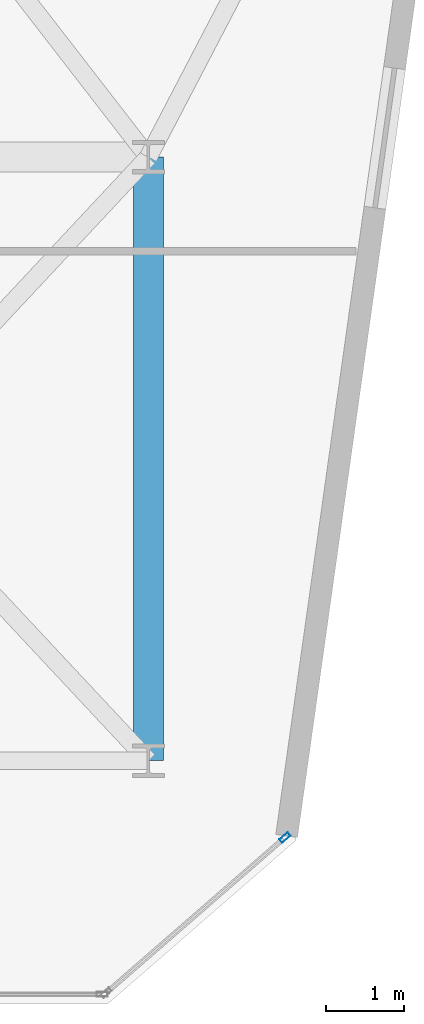
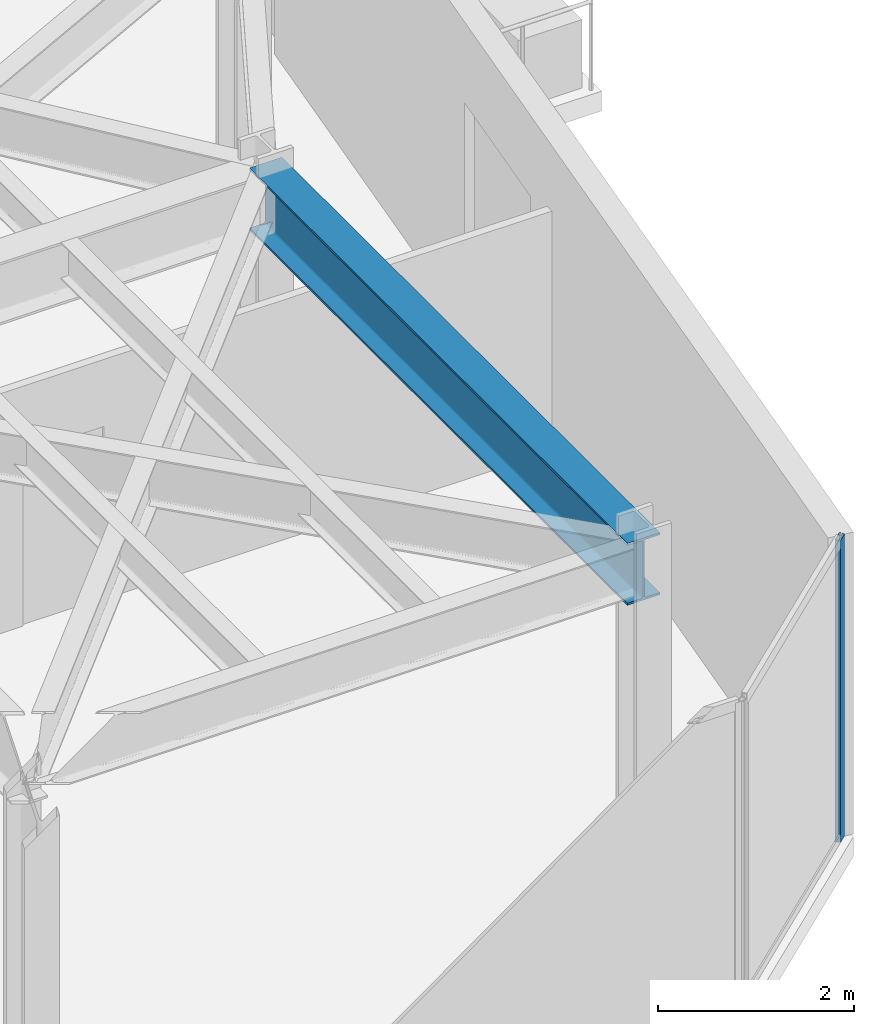
# One storey, part 14 of 21: 1 beam, 1 member, 1 element without a shape of its own.
"""IFC4 building model written with IfcOpenShell, lengths in metres."""

import ifcopenshell
import ifcopenshell.guid

model = None  # the IFC model being written
_history = None  # IfcOwnerHistory: only IFC2X3 demands one
_inside = {}  # id of a spatial element -> (the spatial element, [elements in it])
_under = {}  # id of a project, library or spatial element -> (it, [spatial elements below it])
_declared = {}  # id of a project -> (the project, [libraries it declares])
_typed = {}  # id of a type object -> (the type object, [elements of that type])
_made_of = {}  # id of a material, layer set ... -> (it, [elements and type objects made of it])


def new_model(schema):
    """Start an empty IFC model of exactly this schema.

    Asked for "IFC4X3", IfcOpenShell would pick the latest addendum, in which some entities
    have other attributes; the version numbers below select the first issue.
    IFC2X3 requires an IfcOwnerHistory on every rooted entity: one is made here for all.
    """
    global model, _history
    if schema == "IFC4X3":
        model = ifcopenshell.file(schema_version=(4, 3, 0, 0))
    else:
        model = ifcopenshell.file(schema=schema)
    _inside.clear()
    _under.clear()
    _declared.clear()
    _typed.clear()
    _made_of.clear()
    _history = None
    if model.schema == "IFC2X3":
        org = make("IfcOrganization", Name="unknown")
        user = make(
            "IfcPersonAndOrganization",
            ThePerson=make("IfcPerson", FamilyName="unknown"),
            TheOrganization=org,
        )
        app = make(
            "IfcApplication",
            ApplicationDeveloper=org,
            Version="unknown",
            ApplicationFullName="unknown",
            ApplicationIdentifier="unknown",
        )
        _history = make(
            "IfcOwnerHistory",
            OwningUser=user,
            OwningApplication=app,
            ChangeAction="ADDED",
            CreationDate=0,
        )
    return model


def make(cls, **values):
    """One entity of the class cls with the attributes given. An attribute that is None is left unset."""
    return model.create_entity(
        cls, **{name: value for name, value in values.items() if value is not None}
    )


def rooted(cls, **values):
    """An entity with a GlobalId (a new one), such as an element, a storey or a relation."""
    return make(cls, GlobalId=ifcopenshell.guid.new(), OwnerHistory=_history, **values)


def si_unit(unit_type, name, prefix=None):
    """IfcSIUnit, for example si_unit("LENGTHUNIT", "METRE", prefix="MILLI")."""
    return make("IfcSIUnit", UnitType=unit_type, Prefix=prefix, Name=name)


def assignment(units):
    """IfcUnitAssignment: the units of a project."""
    return None if units is None else make("IfcUnitAssignment", Units=units)


def point(xyz):
    """IfcCartesianPoint."""
    return None if xyz is None else make("IfcCartesianPoint", Coordinates=xyz)


def direction(xyz):
    """IfcDirection."""
    return None if xyz is None else make("IfcDirection", DirectionRatios=xyz)


def frame(location, z_axis=None, x_axis=None):
    """IfcAxis2Placement3D, a coordinate frame: its origin and axes. An axis left out is left unset."""
    return make(
        "IfcAxis2Placement3D",
        Location=point(location),
        Axis=direction(z_axis),
        RefDirection=direction(x_axis),
    )


def frame_2d(location, x_axis=None):
    """IfcAxis2Placement2D, a coordinate frame in the plane: its origin and x axis."""
    return make(
        "IfcAxis2Placement2D", Location=point(location), RefDirection=direction(x_axis)
    )


def origin():
    """The frame at (0, 0, 0) with its axes left unset."""
    return frame((0.0, 0.0, 0.0))


def origin_2d():
    """The frame at (0, 0) in the plane with its x axis left unset."""
    return frame_2d((0.0, 0.0))


def place(relative_to, where):
    """IfcLocalPlacement: puts the frame where relative to a parent placement (None: the world)."""
    return make(
        "IfcLocalPlacement", PlacementRelTo=relative_to, RelativePlacement=where
    )


def context(
    kind, dimensions, precision=None, world=None, true_north=None, identifier=None
):
    """IfcGeometricRepresentationContext, for example the 3D "Model" context."""
    return make(
        "IfcGeometricRepresentationContext",
        ContextIdentifier=identifier,
        ContextType=kind,
        CoordinateSpaceDimension=dimensions,
        Precision=precision,
        WorldCoordinateSystem=world,
        TrueNorth=true_north,
    )


def subcontext(parent, identifier, kind, view, scale=None):
    """IfcGeometricRepresentationSubContext, for example "Body" below "Model"."""
    return make(
        "IfcGeometricRepresentationSubContext",
        ContextIdentifier=identifier,
        ContextType=kind,
        ParentContext=parent,
        TargetScale=scale,
        TargetView=view,
    )


def project(units=None, contexts=None):
    """IfcProject with its units and contexts."""
    return rooted(
        "IfcProject",
        Name="project",
        RepresentationContexts=contexts,
        UnitsInContext=assignment(units),
    )


def spatial(cls, under=None, at=None, **own):
    """A site, building, storey or space (cls), placed at a placement, below another one or the project."""
    s = rooted(cls, ObjectPlacement=at, **own)
    if under is not None:
        _under.setdefault(under.id(), (under, []))[1].append(s)
    return s


def profile(cls, at=None, kind="AREA", **sizes):
    """A parametric profile (cls). Its sizes go by their IFC names, for example OverallWidth=200.0."""
    return make(cls, ProfileType=kind, Position=at, **sizes)


def hollow_rectangle(**sizes):
    """IfcRectangleHollowProfileDef."""
    return profile("IfcRectangleHollowProfileDef", **sizes)


def i_section(**sizes):
    """IfcIShapeProfileDef."""
    return profile("IfcIShapeProfileDef", **sizes)


def extrude(swept, where, along, depth):
    """IfcExtrudedAreaSolid: the profile swept, set in the frame where, extruded along a direction by depth."""
    return make(
        "IfcExtrudedAreaSolid",
        SweptArea=swept,
        Position=where,
        ExtrudedDirection=direction(along),
        Depth=depth,
    )


def shape(context_of_items, identifier, shape_type, items):
    """IfcShapeRepresentation: the items that make up one representation, for example the "Body"."""
    return make(
        "IfcShapeRepresentation",
        ContextOfItems=context_of_items,
        RepresentationIdentifier=identifier,
        RepresentationType=shape_type,
        Items=items,
    )


def material(Name=None, Category=None):
    """IfcMaterial."""
    return make("IfcMaterial", Name=Name, Category=Category)


def layer(
    of_material, thickness, ventilated=None, Name=None, Category=None, Priority=None
):
    """IfcMaterialLayer: one layer of a wall or slab, of a material (None: an air gap)."""
    return make(
        "IfcMaterialLayer",
        Material=of_material,
        LayerThickness=thickness,
        IsVentilated=ventilated,
        Name=Name,
        Category=Category,
        Priority=Priority,
    )


def layer_set(layers, Name=None):
    """IfcMaterialLayerSet."""
    return make("IfcMaterialLayerSet", MaterialLayers=layers, LayerSetName=Name)


def material_profile(
    of_material, cross_section, Name=None, Category=None, Priority=None
):
    """IfcMaterialProfile: a cross section and its material."""
    return make(
        "IfcMaterialProfile",
        Name=Name,
        Material=of_material,
        Profile=cross_section,
        Priority=Priority,
        Category=Category,
    )


def profile_set(profiles, Name=None, composite=None):
    """IfcMaterialProfileSet."""
    return make(
        "IfcMaterialProfileSet",
        Name=Name,
        MaterialProfiles=profiles,
        CompositeProfile=composite,
    )


def made_of(thing, what):
    """Note that an element or type object is made of a material, layer set ...; save() writes the relation."""
    if what is not None:
        _made_of.setdefault(what.id(), (what, []))[1].append(thing)
    return thing


def type_object(cls, material=None, **own):
    """A type object (cls), such as IfcWallType, which elements share."""
    return made_of(rooted(cls, **own), material)


def element(
    cls,
    number,
    at=None,
    inside=None,
    cuts=None,
    type_object=None,
    material=None,
    context=None,
    identifier="Body",
    shape_type=None,
    held_by="IfcProductDefinitionShape",
    body=None,
    shapes=None,
    **own,
):
    """One element of the class cls, such as IfcWall. Its Tag is "e" and its number.

    at: its placement. inside: the storey or other place that contains it. cuts: it is an
    opening in that element (IfcRelVoidsElement). A single representation is given by context,
    identifier, shape_type and body (its items); several are given by shapes. held_by: the class
    of the entity that holds the representations. save() writes the other relations.
    """
    e = rooted(cls, Tag="e%d" % number, ObjectPlacement=at, **own)
    if body is not None:
        shapes = [shape(context, identifier, shape_type, body)]
    if shapes is not None:
        e.Representation = make(held_by, Representations=shapes)
    if inside is not None:
        _inside.setdefault(inside.id(), (inside, []))[1].append(e)
    if cuts is not None:
        rooted(
            "IfcRelVoidsElement", RelatingBuildingElement=cuts, RelatedOpeningElement=e
        )
    if type_object is not None:
        _typed.setdefault(type_object.id(), (type_object, []))[1].append(e)
    return made_of(e, material)


def aggregate(whole, parts):
    """IfcRelAggregates: a whole, such as a stair, and the parts it consists of."""
    return rooted("IfcRelAggregates", RelatingObject=whole, RelatedObjects=parts)


def save(model, path):
    """Write the relations noted so far, then the file.

    IfcRelAggregates (storeys below a building ...), IfcRelContainedInSpatialStructure (elements
    in a storey), IfcRelDefinesByType, IfcRelAssociatesMaterial and IfcRelDeclares: one each for
    every whole, place, type object, material and project.
    """
    for whole, parts in _under.values():
        aggregate(whole, parts)
    for where, things in _inside.values():
        rooted(
            "IfcRelContainedInSpatialStructure",
            RelatedElements=things,
            RelatingStructure=where,
        )
    for kind, things in _typed.values():
        rooted("IfcRelDefinesByType", RelatedObjects=things, RelatingType=kind)
    for what, things in _made_of.values():
        rooted("IfcRelAssociatesMaterial", RelatedObjects=things, RelatingMaterial=what)
    for by, libraries in _declared.values():
        rooted("IfcRelDeclares", RelatingContext=by, RelatedDefinitions=libraries)
    model.write(path)


model = new_model("IFC4")

# Units and contexts
model_context = context("Model", 3, precision=1e-05, world=origin(), true_north=direction((0.0, 1.0)))
body_context = subcontext(model_context, "Body", "Model", "MODEL_VIEW")
ifc_project = project(units=[si_unit("LENGTHUNIT", "METRE"), si_unit("AREAUNIT", "SQUARE_METRE"), si_unit("VOLUMEUNIT", "CUBIC_METRE"), si_unit("PLANEANGLEUNIT", "RADIAN"), si_unit("MASSUNIT", "GRAM", prefix="KILO")], contexts=[model_context])

# Site, building, storey
site_placement = place(None, origin())
site = spatial("IfcSite", under=ifc_project, at=site_placement, CompositionType="ELEMENT")
building_placement = place(site_placement, origin())
building = spatial("IfcBuilding", under=site, at=building_placement, Name="Kravanh Interchange Tower", CompositionType="ELEMENT")
storey_placement = place(building_placement, frame((0.0, 0.0, 168.5)))
storey = spatial("IfcBuildingStorey", under=building, at=storey_placement, Name="L40", CompositionType="ELEMENT", Elevation=168.5)

# Curtain wall, member
ifc_material_1 = material(Name="Anodised Bronze Aluminium", Category="aluminium")
ifc_layer = layer(ifc_material_1, 0.179931640625)
ifc_layer_set = layer_set([ifc_layer], Name="Unitised Curtain Wall System CW-Z3 Upper Office")
curtain_wall_type = type_object("IfcCurtainWallType", Name="Unitised Curtain Wall System CW-Z3 Upper Office", PredefinedType="NOTDEFINED", material=ifc_layer_set)
curtain_wall_placement = place(storey_placement, origin())
curtain_wall = element("IfcCurtainWall", 1, at=curtain_wall_placement, inside=storey, type_object=curtain_wall_type, Name="L40 Unitised Curtain Wall CW-L40-01", PredefinedType="NOTDEFINED")
ifc_material_2 = material(Name="Anodised Bronze Aluminium", Category="aluminium")
ifc_material_profile_1 = material_profile(ifc_material_2, hollow_rectangle(XDim=0.06005859375, YDim=0.139892578125, WallThickness=0.00390625, at=origin_2d()), Name="ALU60X140X4")
ifc_profile_set_1 = profile_set([ifc_material_profile_1], Name="Anodised Bronze Aluminium")
member_type = type_object("IfcMemberType", Name="Curtain Wall Mullion ALU60X140X4 Bronze", PredefinedType="MULLION", material=ifc_profile_set_1)
member_placement = place(storey_placement, frame((64.94287109375, 13.52099609375, 0.0), z_axis=(0.0, 0.0, 1.0), x_axis=(0.65605090137, -0.754716645379, 0.0)))
member = element("IfcMember", 2, at=member_placement, type_object=member_type, Name="CW-Z3 mullion 1", PredefinedType="MULLION", context=body_context, shape_type="SweptSolid", body=[
    extrude(hollow_rectangle(XDim=0.06005859375, YDim=0.139892578125, WallThickness=0.00390625, at=origin_2d()), origin(), (0.0, 0.0, 1.0), 3.7548828125),
])
aggregate(curtain_wall, [member])

# Beam
ifc_material_3 = material(Name="Structural Steel S355", Category="steel")
ifc_material_profile_2 = material_profile(ifc_material_3, i_section(OverallWidth=0.381103515625, OverallDepth=0.77294921875, WebThickness=0.0166015625, FlangeThickness=0.027099609375, FilletRadius=0.02490234375, at=origin_2d()), Name="W30X173")
ifc_profile_set_2 = profile_set([ifc_material_profile_2], Name="Structural Steel S355")
beam_type = type_object("IfcBeamType", Name="Floor Beam W30X173 Structural Steel S355", PredefinedType="BEAM", material=ifc_profile_set_2)
beam_placement = place(storey_placement, frame((63.199951171875, 14.5, 3.368408203125), z_axis=(0.0, 1.0, 0.0), x_axis=(-1.0, 0.0, 0.0)))
element("IfcBeam", 3, at=beam_placement, inside=storey, type_object=beam_type, Name="L40 Primary Floor Girder 89", PredefinedType="BEAM", context=body_context, shape_type="SweptSolid", body=[
    extrude(i_section(OverallWidth=0.381103515625, OverallDepth=0.77294921875, WebThickness=0.0166015625, FlangeThickness=0.027099609375, FilletRadius=0.02490234375, at=origin_2d()), origin(), (0.0, 0.0, 1.0), 7.699951171875),
])

save(model, "model.ifc")
